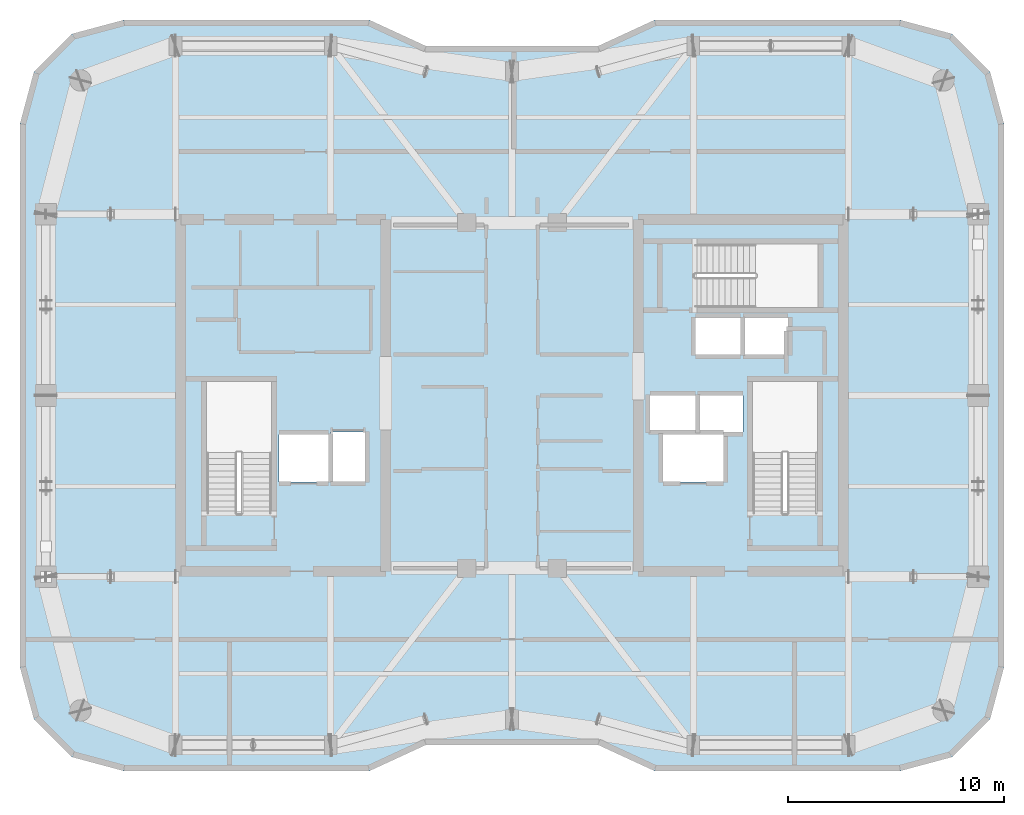
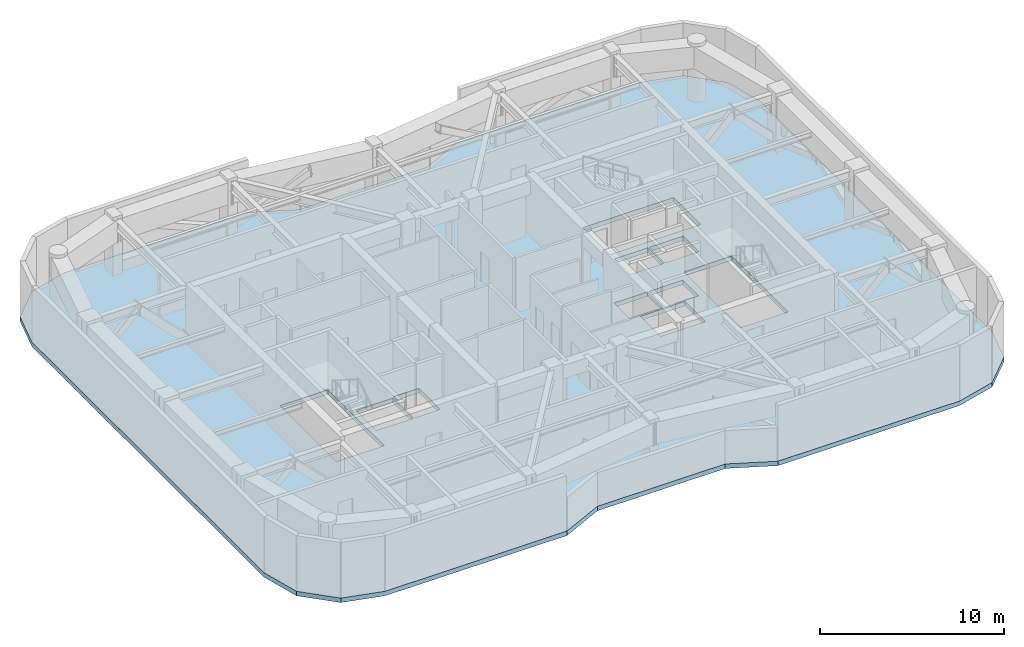
# One storey, part 4 of 11: 1 slab.
"""IFC4 building model written with IfcOpenShell, lengths in metres."""

from ifc_helpers import new_model, si_unit, direction, frame, origin, place, context, subcontext, project, spatial, polyline, outline, extrude, material, layer, layer_set, type_object, element, save


model = new_model("IFC4")

# Units and contexts
model_context = context("Model", 3, precision=1e-05, world=origin(), true_north=direction((0.0, 1.0)))
body_context = subcontext(model_context, "Body", "Model", "MODEL_VIEW")
ifc_project = project(units=[si_unit("LENGTHUNIT", "METRE"), si_unit("AREAUNIT", "SQUARE_METRE"), si_unit("VOLUMEUNIT", "CUBIC_METRE"), si_unit("PLANEANGLEUNIT", "RADIAN"), si_unit("MASSUNIT", "GRAM", prefix="KILO")], contexts=[model_context])

# Site, building, storey
site_placement = place(None, origin())
site = spatial("IfcSite", under=ifc_project, at=site_placement, CompositionType="ELEMENT")
building_placement = place(site_placement, origin())
building = spatial("IfcBuilding", under=site, at=building_placement, Name="Kiyonajd Concourse Tower", CompositionType="ELEMENT")
storey_placement = place(building_placement, frame((0.0, 0.0, 282.300048828125)))
storey = spatial("IfcBuildingStorey", under=building, at=storey_placement, Name="L71", CompositionType="ELEMENT", Elevation=282.300048828125)

# Slab
ifc_material = material(Name="Concrete C50/60", Category="concrete")
ifc_layer = layer(ifc_material, 0.300048828125)
ifc_layer_set = layer_set([ifc_layer], Name="Concrete C50/60")
slab_type = type_object("IfcSlabType", Name="SL-MEP-300", PredefinedType="FLOOR", material=ifc_layer_set)
slab_placement = place(storey_placement, frame((0.0, 0.0, -0.300048828125)))
element("IfcSlab", 1, at=slab_placement, inside=storey, type_object=slab_type, Name="L71 Tower Conditioned Floor Slab", PredefinedType="FLOOR", context=body_context, shape_type="SweptSolid", body=[
    extrude(outline(polyline([(25.199951171875, 23.39990234375), (25.843017578125, 21.0), (27.60009765625, 19.242919921875), (30.0, 18.60009765625), (41.39990234375, 18.60009765625), (44.0, 19.800048828125), (52.0, 19.800048828125), (54.60009765625, 18.60009765625), (66.0, 18.60009765625), (68.39990234375, 19.242919921875), (70.156982421875, 21.0), (70.800048828125, 23.39990234375), (70.800048828125, 48.60009765625), (70.156982421875, 51.0), (68.39990234375, 52.757080078125), (66.0, 53.39990234375), (54.60009765625, 53.39990234375), (52.0, 52.199951171875), (44.0, 52.199951171875), (41.39990234375, 53.39990234375), (30.0, 53.39990234375), (27.60009765625, 52.757080078125), (25.843017578125, 51.0), (25.199951171875, 48.60009765625), (25.199951171875, 23.39990234375)]), holes=[polyline([(39.5, 32.0), (37.199951171875, 32.0), (37.199951171875, 34.199951171875), (39.5, 34.199951171875), (39.5, 32.0)]), polyline([(57.800048828125, 32.0), (55.0, 32.0), (55.0, 34.199951171875), (57.800048828125, 34.199951171875), (57.800048828125, 32.0)]), polyline([(41.199951171875, 32.0), (39.60009765625, 32.0), (39.60009765625, 34.300048828125), (41.199951171875, 34.300048828125), (41.199951171875, 32.0)]), polyline([(33.85009765625, 30.550048828125), (33.85009765625, 36.64990234375), (36.85009765625, 36.64990234375), (36.85009765625, 30.550048828125), (33.85009765625, 30.550048828125)]), polyline([(59.14990234375, 30.550048828125), (59.14990234375, 36.64990234375), (62.14990234375, 36.64990234375), (62.14990234375, 30.550048828125), (59.14990234375, 30.550048828125)]), polyline([(56.5, 34.300048828125), (54.39990234375, 34.300048828125), (54.39990234375, 36.0), (56.5, 36.0), (56.5, 34.300048828125)]), polyline([(58.699951171875, 34.300048828125), (56.60009765625, 34.300048828125), (56.60009765625, 36.0), (58.699951171875, 36.0), (58.699951171875, 34.300048828125)]), polyline([(58.60009765625, 37.89990234375), (56.5, 37.89990234375), (56.5, 39.60009765625), (58.60009765625, 39.60009765625), (58.60009765625, 37.89990234375)]), polyline([(58.699951171875, 37.89990234375), (58.699951171875, 39.60009765625), (60.800048828125, 39.60009765625), (60.800048828125, 37.89990234375), (58.699951171875, 37.89990234375)]), polyline([(56.47998046875, 43.02001953125), (62.179931640625, 43.02001953125), (62.179931640625, 40.080078125), (56.47998046875, 40.080078125), (56.47998046875, 43.02001953125)])]), origin(), (0.0, 0.0, 1.0), 0.300048828125),
])

save(model, "model.ifc")
